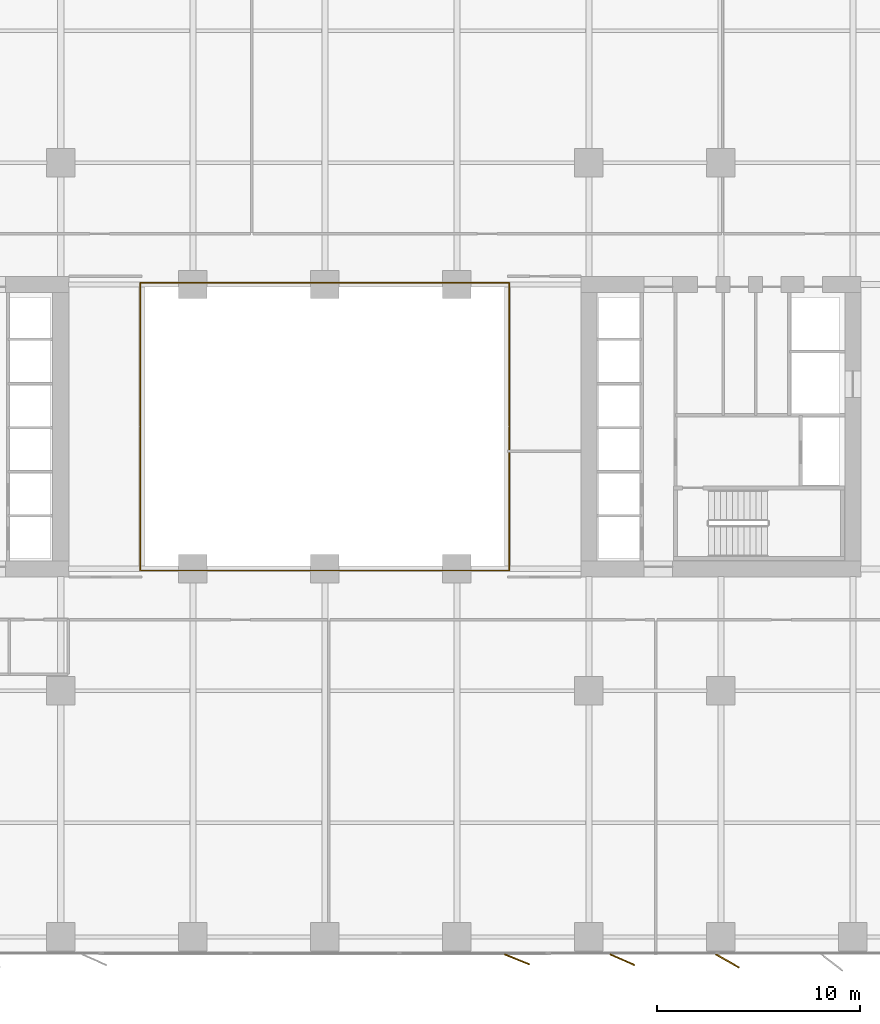
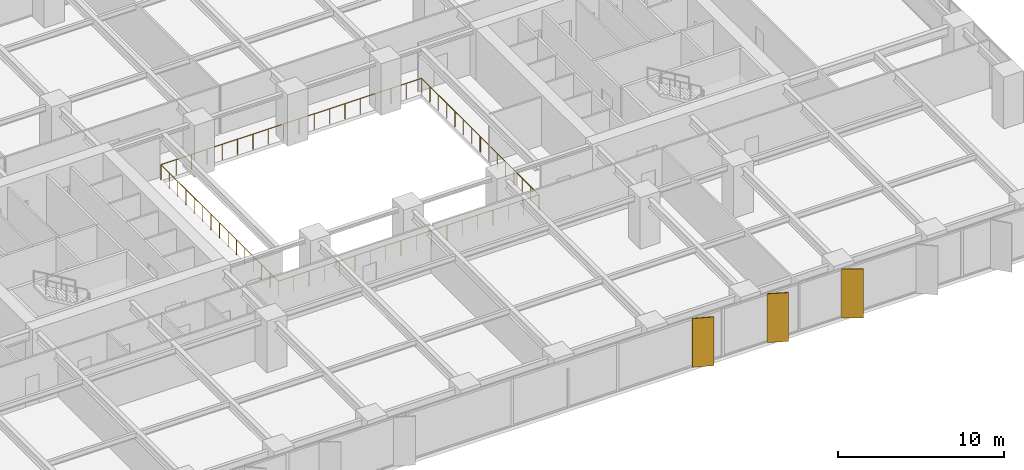
# One storey, part 18 of 20: 3 shading devices, 2 railings.
"""IFC4 building model written with IfcOpenShell, lengths in metres."""

from ifc_helpers import new_model, si_unit, direction, frame, origin, origin_2d, place, context, subcontext, project, spatial, rectangle, circle, extrude, material, layer, layer_set, type_object, element, save


model = new_model("IFC4")

# Units and contexts
model_context = context("Model", 3, precision=1e-05, world=origin(), true_north=direction((0.0, 1.0)))
body_context = subcontext(model_context, "Body", "Model", "MODEL_VIEW")
ifc_project = project(units=[si_unit("LENGTHUNIT", "METRE"), si_unit("AREAUNIT", "SQUARE_METRE"), si_unit("VOLUMEUNIT", "CUBIC_METRE"), si_unit("PLANEANGLEUNIT", "RADIAN"), si_unit("MASSUNIT", "GRAM", prefix="KILO")], contexts=[model_context])

# Site, building, storey
site_placement = place(None, origin())
site = spatial("IfcSite", under=ifc_project, at=site_placement, CompositionType="ELEMENT")
building_placement = place(site_placement, origin())
building = spatial("IfcBuilding", under=site, at=building_placement, Name="Putna Gate Headquarters", CompositionType="ELEMENT")
storey_placement = place(building_placement, frame((0.0, 0.0, 46.800048828125)))
storey = spatial("IfcBuildingStorey", under=building, at=storey_placement, Name="L10", CompositionType="ELEMENT", Elevation=46.800048828125)

# Railings
ifc_material_1 = material(Name="Anodised bronze and laminated glass atrium balustrade", Category="glass")
railing_type = type_object("IfcRailingType", Name="RAIL-ATRIUM-GUARD-1150", PredefinedType="GUARDRAIL", material=ifc_material_1)
railing_1_placement = place(storey_placement, frame((29.919921875, 25.969970703125, 0.0)))
element("IfcRailing", 1, at=railing_1_placement, inside=storey, type_object=railing_type, Name="L10 Central Atrium Glazed Balustrade South", PredefinedType="GUARDRAIL", context=body_context, shape_type="SweptSolid", body=[
    extrude(circle(Radius=0.02392578125, at=origin_2d()), frame((0.0, 0.0, 1.1259765625), z_axis=(0.0, -1.0, 0.0), x_axis=(1.0, 0.0, 0.0)), (0.0, 0.0, 1.0), 7.050048828125),
    extrude(circle(Radius=0.02392578125, at=origin_2d()), frame((0.0, -7.050048828125, 1.1259765625), z_axis=(1.0, 0.0, 0.0), x_axis=(0.0, 1.0, 0.0)), (0.0, 0.0, 1.0), 18.16015625),
    extrude(circle(Radius=0.02392578125, at=origin_2d()), frame((18.16015625, -7.050048828125, 1.1259765625), z_axis=(0.0, 1.0, 0.0), x_axis=(-1.0, 0.0, 0.0)), (0.0, 0.0, 1.0), 7.050048828125),
    extrude(circle(Radius=0.02099609375, at=origin_2d()), origin(), (0.0, 0.0, 1.0), 1.101806640625),
    extrude(circle(Radius=0.02099609375, at=origin_2d()), frame((0.0, -1.007080078125, 0.0)), (0.0, 0.0, 1.0), 1.101806640625),
    extrude(circle(Radius=0.02099609375, at=origin_2d()), frame((0.0, -2.014404296875, 0.0)), (0.0, 0.0, 1.0), 1.101806640625),
    extrude(circle(Radius=0.02099609375, at=origin_2d()), frame((0.0, -3.021484375, 0.0)), (0.0, 0.0, 1.0), 1.101806640625),
    extrude(circle(Radius=0.02099609375, at=origin_2d()), frame((0.0, -4.028564453125, 0.0)), (0.0, 0.0, 1.0), 1.101806640625),
    extrude(circle(Radius=0.02099609375, at=origin_2d()), frame((0.0, -5.03564453125, 0.0)), (0.0, 0.0, 1.0), 1.101806640625),
    extrude(circle(Radius=0.02099609375, at=origin_2d()), frame((0.0, -6.04296875, 0.0)), (0.0, 0.0, 1.0), 1.101806640625),
    extrude(circle(Radius=0.02099609375, at=origin_2d()), frame((0.0, -7.050048828125, 0.0)), (0.0, 0.0, 1.0), 1.101806640625),
    extrude(circle(Radius=0.02099609375, at=origin_2d()), frame((1.068359375, -7.050048828125, 0.0)), (0.0, 0.0, 1.0), 1.101806640625),
    extrude(circle(Radius=0.02099609375, at=origin_2d()), frame((2.136474609375, -7.050048828125, 0.0)), (0.0, 0.0, 1.0), 1.101806640625),
    extrude(circle(Radius=0.02099609375, at=origin_2d()), frame((3.204833984375, -7.050048828125, 0.0)), (0.0, 0.0, 1.0), 1.101806640625),
    extrude(circle(Radius=0.02099609375, at=origin_2d()), frame((4.27294921875, -7.050048828125, 0.0)), (0.0, 0.0, 1.0), 1.101806640625),
    extrude(circle(Radius=0.02099609375, at=origin_2d()), frame((5.34130859375, -7.050048828125, 0.0)), (0.0, 0.0, 1.0), 1.101806640625),
    extrude(circle(Radius=0.02099609375, at=origin_2d()), frame((6.409423828125, -7.050048828125, 0.0)), (0.0, 0.0, 1.0), 1.101806640625),
    extrude(circle(Radius=0.02099609375, at=origin_2d()), frame((7.477783203125, -7.050048828125, 0.0)), (0.0, 0.0, 1.0), 1.101806640625),
    extrude(circle(Radius=0.02099609375, at=origin_2d()), frame((8.5458984375, -7.050048828125, 0.0)), (0.0, 0.0, 1.0), 1.101806640625),
    extrude(circle(Radius=0.02099609375, at=origin_2d()), frame((9.6142578125, -7.050048828125, 0.0)), (0.0, 0.0, 1.0), 1.101806640625),
    extrude(circle(Radius=0.02099609375, at=origin_2d()), frame((10.682373046875, -7.050048828125, 0.0)), (0.0, 0.0, 1.0), 1.101806640625),
    extrude(circle(Radius=0.02099609375, at=origin_2d()), frame((11.750732421875, -7.050048828125, 0.0)), (0.0, 0.0, 1.0), 1.101806640625),
    extrude(circle(Radius=0.02099609375, at=origin_2d()), frame((12.81884765625, -7.050048828125, 0.0)), (0.0, 0.0, 1.0), 1.101806640625),
    extrude(circle(Radius=0.02099609375, at=origin_2d()), frame((13.88720703125, -7.050048828125, 0.0)), (0.0, 0.0, 1.0), 1.101806640625),
    extrude(circle(Radius=0.02099609375, at=origin_2d()), frame((14.955322265625, -7.050048828125, 0.0)), (0.0, 0.0, 1.0), 1.101806640625),
    extrude(circle(Radius=0.02099609375, at=origin_2d()), frame((16.023681640625, -7.050048828125, 0.0)), (0.0, 0.0, 1.0), 1.101806640625),
    extrude(circle(Radius=0.02099609375, at=origin_2d()), frame((17.091796875, -7.050048828125, 0.0)), (0.0, 0.0, 1.0), 1.101806640625),
    extrude(circle(Radius=0.02099609375, at=origin_2d()), frame((18.16015625, -7.050048828125, 0.0)), (0.0, 0.0, 1.0), 1.101806640625),
    extrude(circle(Radius=0.02099609375, at=origin_2d()), frame((18.16015625, -6.04296875, 0.0)), (0.0, 0.0, 1.0), 1.101806640625),
    extrude(circle(Radius=0.02099609375, at=origin_2d()), frame((18.16015625, -5.03564453125, 0.0)), (0.0, 0.0, 1.0), 1.101806640625),
    extrude(circle(Radius=0.02099609375, at=origin_2d()), frame((18.16015625, -4.028564453125, 0.0)), (0.0, 0.0, 1.0), 1.101806640625),
    extrude(circle(Radius=0.02099609375, at=origin_2d()), frame((18.16015625, -3.021484375, 0.0)), (0.0, 0.0, 1.0), 1.101806640625),
    extrude(circle(Radius=0.02099609375, at=origin_2d()), frame((18.16015625, -2.014404296875, 0.0)), (0.0, 0.0, 1.0), 1.101806640625),
    extrude(circle(Radius=0.02099609375, at=origin_2d()), frame((18.16015625, -1.007080078125, 0.0)), (0.0, 0.0, 1.0), 1.101806640625),
    extrude(circle(Radius=0.02099609375, at=origin_2d()), frame((18.16015625, 0.0, 0.0)), (0.0, 0.0, 1.0), 1.101806640625),
])
railing_2_placement = place(storey_placement, frame((48.080078125, 26.030029296875, 0.0)))
element("IfcRailing", 2, at=railing_2_placement, inside=storey, type_object=railing_type, Name="L10 Central Atrium Glazed Balustrade North", PredefinedType="GUARDRAIL", context=body_context, shape_type="SweptSolid", body=[
    extrude(circle(Radius=0.02392578125, at=origin_2d()), frame((0.0, 0.0, 1.1259765625), z_axis=(0.0, 1.0, 0.0), x_axis=(-1.0, 0.0, 0.0)), (0.0, 0.0, 1.0), 7.050048828125),
    extrude(circle(Radius=0.02392578125, at=origin_2d()), frame((0.0, 7.050048828125, 1.1259765625), z_axis=(-1.0, 0.0, 0.0), x_axis=(0.0, -1.0, 0.0)), (0.0, 0.0, 1.0), 18.16015625),
    extrude(circle(Radius=0.02392578125, at=origin_2d()), frame((-18.16015625, 7.050048828125, 1.1259765625), z_axis=(0.0, -1.0, 0.0), x_axis=(1.0, 0.0, 0.0)), (0.0, 0.0, 1.0), 7.050048828125),
    extrude(circle(Radius=0.02099609375, at=origin_2d()), origin(), (0.0, 0.0, 1.0), 1.101806640625),
    extrude(circle(Radius=0.02099609375, at=origin_2d()), frame((0.0, 1.007080078125, 0.0)), (0.0, 0.0, 1.0), 1.101806640625),
    extrude(circle(Radius=0.02099609375, at=origin_2d()), frame((0.0, 2.014404296875, 0.0)), (0.0, 0.0, 1.0), 1.101806640625),
    extrude(circle(Radius=0.02099609375, at=origin_2d()), frame((0.0, 3.021484375, 0.0)), (0.0, 0.0, 1.0), 1.101806640625),
    extrude(circle(Radius=0.02099609375, at=origin_2d()), frame((0.0, 4.028564453125, 0.0)), (0.0, 0.0, 1.0), 1.101806640625),
    extrude(circle(Radius=0.02099609375, at=origin_2d()), frame((0.0, 5.03564453125, 0.0)), (0.0, 0.0, 1.0), 1.101806640625),
    extrude(circle(Radius=0.02099609375, at=origin_2d()), frame((0.0, 6.04296875, 0.0)), (0.0, 0.0, 1.0), 1.101806640625),
    extrude(circle(Radius=0.02099609375, at=origin_2d()), frame((0.0, 7.050048828125, 0.0)), (0.0, 0.0, 1.0), 1.101806640625),
    extrude(circle(Radius=0.02099609375, at=origin_2d()), frame((-1.068359375, 7.050048828125, 0.0)), (0.0, 0.0, 1.0), 1.101806640625),
    extrude(circle(Radius=0.02099609375, at=origin_2d()), frame((-2.136474609375, 7.050048828125, 0.0)), (0.0, 0.0, 1.0), 1.101806640625),
    extrude(circle(Radius=0.02099609375, at=origin_2d()), frame((-3.204833984375, 7.050048828125, 0.0)), (0.0, 0.0, 1.0), 1.101806640625),
    extrude(circle(Radius=0.02099609375, at=origin_2d()), frame((-4.27294921875, 7.050048828125, 0.0)), (0.0, 0.0, 1.0), 1.101806640625),
    extrude(circle(Radius=0.02099609375, at=origin_2d()), frame((-5.34130859375, 7.050048828125, 0.0)), (0.0, 0.0, 1.0), 1.101806640625),
    extrude(circle(Radius=0.02099609375, at=origin_2d()), frame((-6.409423828125, 7.050048828125, 0.0)), (0.0, 0.0, 1.0), 1.101806640625),
    extrude(circle(Radius=0.02099609375, at=origin_2d()), frame((-7.477783203125, 7.050048828125, 0.0)), (0.0, 0.0, 1.0), 1.101806640625),
    extrude(circle(Radius=0.02099609375, at=origin_2d()), frame((-8.5458984375, 7.050048828125, 0.0)), (0.0, 0.0, 1.0), 1.101806640625),
    extrude(circle(Radius=0.02099609375, at=origin_2d()), frame((-9.6142578125, 7.050048828125, 0.0)), (0.0, 0.0, 1.0), 1.101806640625),
    extrude(circle(Radius=0.02099609375, at=origin_2d()), frame((-10.682373046875, 7.050048828125, 0.0)), (0.0, 0.0, 1.0), 1.101806640625),
    extrude(circle(Radius=0.02099609375, at=origin_2d()), frame((-11.750732421875, 7.050048828125, 0.0)), (0.0, 0.0, 1.0), 1.101806640625),
    extrude(circle(Radius=0.02099609375, at=origin_2d()), frame((-12.81884765625, 7.050048828125, 0.0)), (0.0, 0.0, 1.0), 1.101806640625),
    extrude(circle(Radius=0.02099609375, at=origin_2d()), frame((-13.88720703125, 7.050048828125, 0.0)), (0.0, 0.0, 1.0), 1.101806640625),
    extrude(circle(Radius=0.02099609375, at=origin_2d()), frame((-14.955322265625, 7.050048828125, 0.0)), (0.0, 0.0, 1.0), 1.101806640625),
    extrude(circle(Radius=0.02099609375, at=origin_2d()), frame((-16.023681640625, 7.050048828125, 0.0)), (0.0, 0.0, 1.0), 1.101806640625),
    extrude(circle(Radius=0.02099609375, at=origin_2d()), frame((-17.091796875, 7.050048828125, 0.0)), (0.0, 0.0, 1.0), 1.101806640625),
    extrude(circle(Radius=0.02099609375, at=origin_2d()), frame((-18.16015625, 7.050048828125, 0.0)), (0.0, 0.0, 1.0), 1.101806640625),
    extrude(circle(Radius=0.02099609375, at=origin_2d()), frame((-18.16015625, 6.04296875, 0.0)), (0.0, 0.0, 1.0), 1.101806640625),
    extrude(circle(Radius=0.02099609375, at=origin_2d()), frame((-18.16015625, 5.03564453125, 0.0)), (0.0, 0.0, 1.0), 1.101806640625),
    extrude(circle(Radius=0.02099609375, at=origin_2d()), frame((-18.16015625, 4.028564453125, 0.0)), (0.0, 0.0, 1.0), 1.101806640625),
    extrude(circle(Radius=0.02099609375, at=origin_2d()), frame((-18.16015625, 3.021484375, 0.0)), (0.0, 0.0, 1.0), 1.101806640625),
    extrude(circle(Radius=0.02099609375, at=origin_2d()), frame((-18.16015625, 2.014404296875, 0.0)), (0.0, 0.0, 1.0), 1.101806640625),
    extrude(circle(Radius=0.02099609375, at=origin_2d()), frame((-18.16015625, 1.007080078125, 0.0)), (0.0, 0.0, 1.0), 1.101806640625),
    extrude(circle(Radius=0.02099609375, at=origin_2d()), frame((-18.16015625, 0.0, 0.0)), (0.0, 0.0, 1.0), 1.101806640625),
])

# Shading devices
ifc_material_2 = material(Name="Anodised architectural bronze aluminium fin", Category="aluminium")
ifc_layer = layer(ifc_material_2, 0.06494140625)
ifc_layer_set = layer_set([ifc_layer], Name="Anodised architectural bronze aluminium fin")
shading_device_type = type_object("IfcShadingDeviceType", Name="SHADE-BRONZE-FIN-1320", PredefinedType="USERDEFINED", material=ifc_layer_set)
for number, where, z_axis, x_axis, name in (
    (3, (48.4619140625, -0.22216796875, -0.02001953125), (0.0, 0.0, 1.0), (0.927183854567, -0.374606593416, 0.0), "L10 Bronze Vertical Shading Fin S8"),
    (4, (53.653076171875, -0.2431640625, -0.02001953125), (0.0, 0.0, 1.0), (0.913687379856, -0.40641773078, 0.0), "L10 Bronze Vertical Shading Fin S9"),
    (5, (58.82373046875, -0.30126953125, -0.02001953125), (0.0, 0.0, 1.0), (0.869322458298, -0.494245347472, 0.0), "L10 Bronze Vertical Shading Fin S10"),
):
    element("IfcShadingDevice", number, at=place(storey_placement, frame(where, z_axis=z_axis, x_axis=x_axis)), inside=storey, type_object=shading_device_type, Name=name, ObjectType="FIN", PredefinedType="USERDEFINED", context=body_context, shape_type="SweptSolid", body=[
        extrude(rectangle(XDim=1.320068359375, YDim=0.06494140625, at=origin_2d()), origin(), (0.0, 0.0, 1.0), 3.590087890625),
    ])

save(model, "model.ifc")
